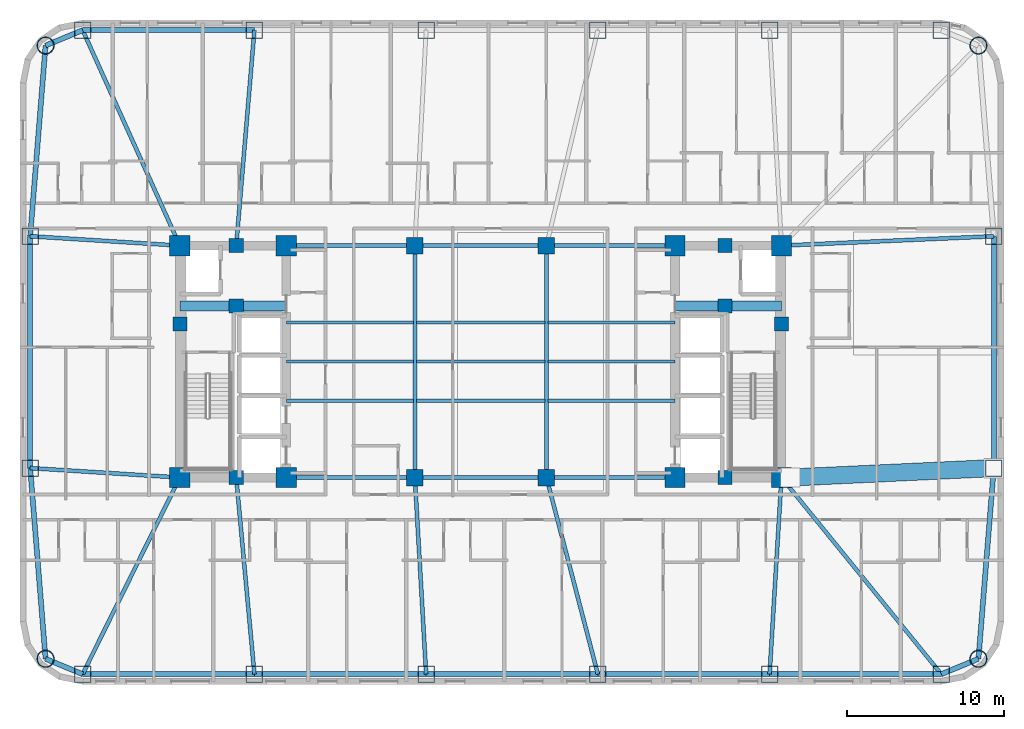
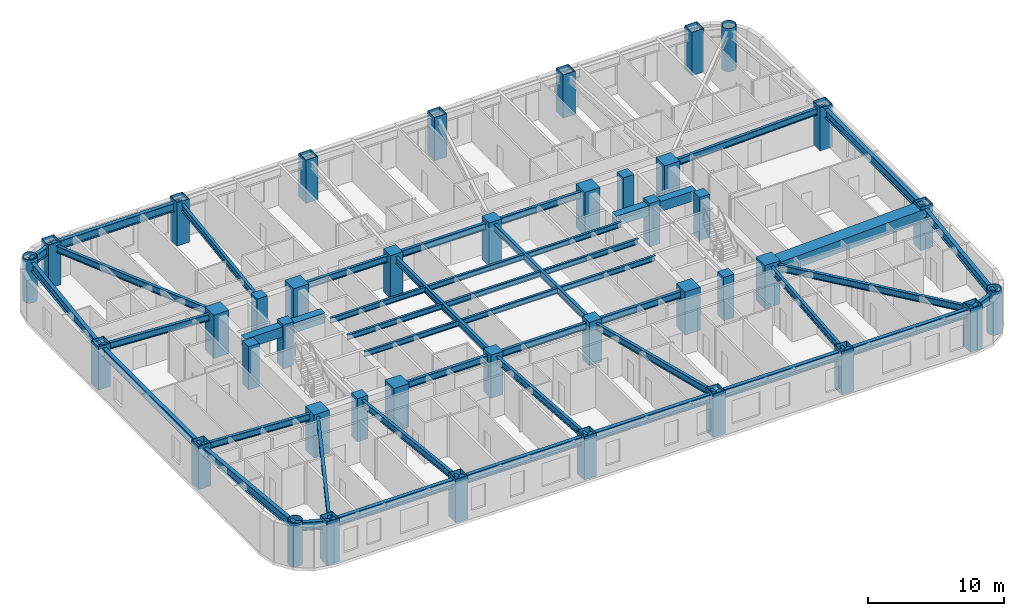
# One storey, part 1 of 13: 45 beams, 40 columns.
"""IFC4 building model written with IfcOpenShell, lengths in metres."""

from ifc_helpers import new_model, si_unit, direction, frame, origin, origin_2d, place, context, subcontext, project, spatial, rectangle, hollow_rectangle, hollow_circle, i_section, extrude, material, material_profile, profile_set, type_object, element, save


model = new_model("IFC4")

# Units and contexts
model_context = context("Model", 3, precision=1e-05, world=origin(), true_north=direction((0.0, 1.0)))
body_context = subcontext(model_context, "Body", "Model", "MODEL_VIEW")
ifc_project = project(units=[si_unit("LENGTHUNIT", "METRE"), si_unit("AREAUNIT", "SQUARE_METRE"), si_unit("VOLUMEUNIT", "CUBIC_METRE"), si_unit("PLANEANGLEUNIT", "RADIAN"), si_unit("MASSUNIT", "GRAM", prefix="KILO")], contexts=[model_context])

# Site, building, storey
site_placement = place(None, origin())
site = spatial("IfcSite", under=ifc_project, at=site_placement, CompositionType="ELEMENT")
building_placement = place(site_placement, origin())
building = spatial("IfcBuilding", under=site, at=building_placement, Name="Voryun Gate Residences", CompositionType="ELEMENT")
storey_placement = place(building_placement, frame((0.0, 0.0, 124.800048828125)))
storey = spatial("IfcBuildingStorey", under=building, at=storey_placement, Name="L30", CompositionType="ELEMENT", Elevation=124.800048828125)

# Columns
ifc_material_1 = material(Name="Concrete C50/60", Category="concrete")
ifc_material_profile_1 = material_profile(ifc_material_1, rectangle(XDim=1.050048828125, YDim=1.050048828125, at=origin_2d()), Name="RC-1050x1050")
ifc_profile_set_1 = profile_set([ifc_material_profile_1], Name="Concrete C50/60")
column_type_1 = type_object("IfcColumnType", Name="COL_CORE_1050", PredefinedType="COLUMN", material=ifc_profile_set_1)
for number, where, z_axis, x_axis, name in (
    (1, (-4.199951171875, -7.39990234375, 0.0), (0.0, 0.0, 1.0), (1.0, 0.0, 0.0), "L30 Interior spine column SP-WS"),
    (2, (-4.199951171875, 7.39990234375, 0.0), (0.0, 0.0, 1.0), (1.0, 0.0, 0.0), "L30 Interior spine column SP-WN"),
    (3, (4.199951171875, -7.39990234375, 0.0), (0.0, 0.0, 1.0), (1.0, 0.0, 0.0), "L30 Interior spine column SP-ES"),
    (4, (4.199951171875, 7.39990234375, 0.0), (0.0, 0.0, 1.0), (1.0, 0.0, 0.0), "L30 Interior spine column SP-EN"),
):
    element("IfcColumn", number, at=place(storey_placement, frame(where, z_axis=z_axis, x_axis=x_axis)), inside=storey, type_object=column_type_1, Name=name, PredefinedType="COLUMN", context=body_context, shape_type="SweptSolid", body=[
        extrude(rectangle(XDim=1.050048828125, YDim=1.050048828125, at=origin_2d()), origin(), (0.0, 0.0, 1.0), 3.89990234375),
    ])
ifc_material_2 = material(Name="Concrete C50/60", Category="concrete")
ifc_material_profile_2 = material_profile(ifc_material_2, rectangle(XDim=0.89990234375, YDim=0.89990234375, at=origin_2d()), Name="RC-900x900")
ifc_profile_set_2 = profile_set([ifc_material_profile_2], Name="Concrete C50/60")
column_type_2 = type_object("IfcColumnType", Name="COL_CORE_900", PredefinedType="COLUMN", material=ifc_profile_set_2)
for number, where, z_axis, x_axis, name in (
    (5, (-19.199951171875, 2.39990234375, 0.0), (0.0, 0.0, 1.0), (1.0, 0.0, 0.0), "L30 Core boundary column WC-MW"),
    (6, (-15.60009765625, -7.39990234375, 0.0), (0.0, 0.0, 1.0), (1.0, 0.0, 0.0), "L30 Core boundary column WC-SM"),
    (7, (-15.60009765625, 7.39990234375, 0.0), (0.0, 0.0, 1.0), (1.0, 0.0, 0.0), "L30 Core boundary column WC-NM"),
    (8, (-15.60009765625, 3.550048828125, 0.0), (0.0, 0.0, 1.0), (1.0, 0.0, 0.0), "L30 Core boundary column WC-MM"),
    (9, (15.60009765625, 3.550048828125, 0.0), (0.0, 0.0, 1.0), (1.0, 0.0, 0.0), "L30 Core boundary column EC-MM"),
    (10, (15.60009765625, -7.39990234375, 0.0), (0.0, 0.0, 1.0), (1.0, 0.0, 0.0), "L30 Core boundary column EC-SM"),
    (11, (15.60009765625, 7.39990234375, 0.0), (0.0, 0.0, 1.0), (1.0, 0.0, 0.0), "L30 Core boundary column EC-NM"),
    (12, (19.199951171875, 2.39990234375, 0.0), (0.0, 0.0, 1.0), (1.0, 0.0, 0.0), "L30 Core boundary column EC-ME"),
):
    element("IfcColumn", number, at=place(storey_placement, frame(where, z_axis=z_axis, x_axis=x_axis)), inside=storey, type_object=column_type_2, Name=name, PredefinedType="COLUMN", context=body_context, shape_type="SweptSolid", body=[
        extrude(rectangle(XDim=0.89990234375, YDim=0.89990234375, at=origin_2d()), origin(), (0.0, 0.0, 1.0), 3.89990234375),
    ])
ifc_material_3 = material(Name="Steel SM420", Category="steel")
ifc_material_profile_3 = material_profile(ifc_material_3, hollow_circle(Radius=0.550048828125, WallThickness=0.035888671875, at=origin_2d()), Name="CHS-1100x36")
ifc_profile_set_3 = profile_set([ifc_material_profile_3], Name="Steel SM420")
column_type_3 = type_object("IfcColumnType", Name="COL_CRN_1100", PredefinedType="COLUMN", material=ifc_profile_set_3)
for number, where, z_axis, x_axis, name in (
    (13, (31.768798828125, -18.96875, 0.0), (0.0, 0.0, 1.0), (1.0, 0.0, 0.0), "L30 Exoskeleton column CSE"),
    (14, (31.768798828125, 20.168701171875, 0.0), (0.0, 0.0, 1.0), (1.0, 0.0, 0.0), "L30 Exoskeleton column CNE"),
    (15, (-27.768798828125, 20.168701171875, 0.0), (0.0, 0.0, 1.0), (1.0, 0.0, 0.0), "L30 Exoskeleton column CNW"),
    (16, (-27.768798828125, -18.96875, 0.0), (0.0, 0.0, 1.0), (1.0, 0.0, 0.0), "L30 Exoskeleton column CSW"),
):
    element("IfcColumn", number, at=place(storey_placement, frame(where, z_axis=z_axis, x_axis=x_axis)), inside=storey, type_object=column_type_3, Name=name, PredefinedType="COLUMN", context=body_context, shape_type="SweptSolid", body=[
        extrude(hollow_circle(Radius=0.550048828125, WallThickness=0.035888671875, at=origin_2d()), origin(), (0.0, 0.0, 1.0), 3.89990234375),
    ])
ifc_material_4 = material(Name="Steel SM420", Category="steel")
ifc_material_profile_4 = material_profile(ifc_material_4, hollow_rectangle(XDim=1.050048828125, YDim=1.050048828125, WallThickness=0.035888671875, at=origin_2d()), Name="BOX-1050x1050x36")
ifc_profile_set_4 = profile_set([ifc_material_profile_4], Name="Steel SM420")
column_type_4 = type_object("IfcColumnType", Name="COL_EXO_B2", PredefinedType="COLUMN", material=ifc_profile_set_4)
for number, where, z_axis, x_axis, name in (
    (17, (-25.39990234375, -19.949951171875, 0.0), (0.0, 0.0, 1.0), (1.0, 0.0, 0.0), "L30 Exoskeleton column S1"),
    (18, (-14.43994140625, -19.949951171875, 0.0), (0.0, 0.0, 1.0), (1.0, 0.0, 0.0), "L30 Exoskeleton column S2"),
    (19, (-3.47998046875, -19.949951171875, 0.0), (0.0, 0.0, 1.0), (1.0, 0.0, 0.0), "L30 Exoskeleton column S3"),
    (20, (7.47998046875, -19.949951171875, 0.0), (0.0, 0.0, 1.0), (1.0, 0.0, 0.0), "L30 Exoskeleton column S4"),
    (21, (18.43994140625, -19.949951171875, 0.0), (0.0, 0.0, 1.0), (1.0, 0.0, 0.0), "L30 Exoskeleton column S5"),
    (22, (29.39990234375, -19.949951171875, 0.0), (0.0, 0.0, 1.0), (1.0, 0.0, 0.0), "L30 Exoskeleton column S6"),
    (23, (32.75, -6.798095703125, 0.0), (0.0, 0.0, 1.0), (1.0, 0.0, 0.0), "L30 Exoskeleton column E1"),
    (24, (32.75, 7.998046875, 0.0), (0.0, 0.0, 1.0), (1.0, 0.0, 0.0), "L30 Exoskeleton column E2"),
    (25, (29.39990234375, 21.14990234375, 0.0), (0.0, 0.0, 1.0), (1.0, 0.0, 0.0), "L30 Exoskeleton column N1"),
    (26, (18.43994140625, 21.14990234375, 0.0), (0.0, 0.0, 1.0), (1.0, 0.0, 0.0), "L30 Exoskeleton column N2"),
    (27, (7.47998046875, 21.14990234375, 0.0), (0.0, 0.0, 1.0), (1.0, 0.0, 0.0), "L30 Exoskeleton column N3"),
    (28, (-3.47998046875, 21.14990234375, 0.0), (0.0, 0.0, 1.0), (1.0, 0.0, 0.0), "L30 Exoskeleton column N4"),
    (29, (-14.43994140625, 21.14990234375, 0.0), (0.0, 0.0, 1.0), (1.0, 0.0, 0.0), "L30 Exoskeleton column N5"),
    (30, (-25.39990234375, 21.14990234375, 0.0), (0.0, 0.0, 1.0), (1.0, 0.0, 0.0), "L30 Exoskeleton column N6"),
    (31, (-28.75, 7.998046875, 0.0), (0.0, 0.0, 1.0), (1.0, 0.0, 0.0), "L30 Exoskeleton column W1"),
    (32, (-28.75, -6.798095703125, 0.0), (0.0, 0.0, 1.0), (1.0, 0.0, 0.0), "L30 Exoskeleton column W2"),
):
    element("IfcColumn", number, at=place(storey_placement, frame(where, z_axis=z_axis, x_axis=x_axis)), inside=storey, type_object=column_type_4, Name=name, PredefinedType="COLUMN", context=body_context, shape_type="SweptSolid", body=[
        extrude(hollow_rectangle(XDim=1.050048828125, YDim=1.050048828125, WallThickness=0.035888671875, at=origin_2d()), origin(), (0.0, 0.0, 1.0), 3.89990234375),
    ])
ifc_material_5 = material(Name="Concrete C60/75", Category="concrete")
ifc_material_profile_5 = material_profile(ifc_material_5, rectangle(XDim=1.300048828125, YDim=1.300048828125, at=origin_2d()), Name="RC-1300x1300")
ifc_profile_set_5 = profile_set([ifc_material_profile_5], Name="Concrete C60/75")
column_type_5 = type_object("IfcColumnType", Name="COL_MEGA_1300", PredefinedType="COLUMN", material=ifc_profile_set_5)
for number, where, z_axis, x_axis, name in (
    (33, (-19.199951171875, -7.39990234375, 0.0), (0.0, 0.0, 1.0), (1.0, 0.0, 0.0), "L30 Core boundary column WC-SW"),
    (34, (-19.199951171875, 7.39990234375, 0.0), (0.0, 0.0, 1.0), (1.0, 0.0, 0.0), "L30 Core boundary column WC-NW"),
    (35, (-12.39990234375, -7.39990234375, 0.0), (0.0, 0.0, 1.0), (1.0, 0.0, 0.0), "L30 Core boundary column WC-SE"),
    (36, (-12.39990234375, 7.39990234375, 0.0), (0.0, 0.0, 1.0), (1.0, 0.0, 0.0), "L30 Core boundary column WC-NE"),
    (37, (12.39990234375, -7.39990234375, 0.0), (0.0, 0.0, 1.0), (1.0, 0.0, 0.0), "L30 Core boundary column EC-SW"),
    (38, (12.39990234375, 7.39990234375, 0.0), (0.0, 0.0, 1.0), (1.0, 0.0, 0.0), "L30 Core boundary column EC-NW"),
    (39, (19.199951171875, -7.39990234375, 0.0), (0.0, 0.0, 1.0), (1.0, 0.0, 0.0), "L30 Core boundary column EC-SE"),
    (40, (19.199951171875, 7.39990234375, 0.0), (0.0, 0.0, 1.0), (1.0, 0.0, 0.0), "L30 Core boundary column EC-NE"),
):
    element("IfcColumn", number, at=place(storey_placement, frame(where, z_axis=z_axis, x_axis=x_axis)), inside=storey, type_object=column_type_5, Name=name, PredefinedType="COLUMN", context=body_context, shape_type="SweptSolid", body=[
        extrude(rectangle(XDim=1.300048828125, YDim=1.300048828125, at=origin_2d()), origin(), (0.0, 0.0, 1.0), 3.89990234375),
    ])

# Beams
ifc_material_6 = material(Name="Steel SM420", Category="steel")
ifc_material_profile_6 = material_profile(ifc_material_6, hollow_rectangle(XDim=1.10009765625, YDim=1.10009765625, WallThickness=0.035888671875, at=origin_2d()), Name="BOX-1100x1100x36")
ifc_profile_set_6 = profile_set([ifc_material_profile_6], Name="Steel SM420")
beam_type_1 = type_object("IfcBeamType", Name="BM_ARCH_RIB", PredefinedType="USERDEFINED", material=ifc_profile_set_6)
beam_1_placement = place(storey_placement, frame((19.75, -7.39990234375, 3.099853515625), z_axis=(0.998930206616, 0.046243294759, 0.0), x_axis=(-0.046243294759, 0.998930206616, 0.0)))
element("IfcBeam", 41, at=beam_1_placement, inside=storey, type_object=beam_type_1, Name="BM-L30-RAD-E1", ObjectType="GIRDER", PredefinedType="USERDEFINED", context=body_context, shape_type="SweptSolid", body=[
    extrude(hollow_rectangle(XDim=1.10009765625, YDim=1.10009765625, WallThickness=0.035888671875, at=origin_2d()), origin(), (0.0, 0.0, 1.0), 13.013916015625),
])
ifc_material_7 = material(Name="Concrete C60/75", Category="concrete")
ifc_material_profile_7 = material_profile(ifc_material_7, rectangle(XDim=0.64990234375, YDim=0.89990234375, at=origin_2d()), Name="RC-650x900")
ifc_profile_set_7 = profile_set([ifc_material_profile_7], Name="Concrete C60/75")
beam_type_2 = type_object("IfcBeamType", Name="BM_COUP_RC900", PredefinedType="LINTEL", material=ifc_profile_set_7)
for number, where, z_axis, x_axis, name in (
    (42, (-19.199951171875, 3.550048828125, 3.199951171875), (1.0, 0.0, 0.0), (0.0, 1.0, 0.0), "BM-L30-WC1"),
    (43, (12.39990234375, 3.550048828125, 3.199951171875), (1.0, 0.0, 0.0), (0.0, 1.0, 0.0), "BM-L30-EC1"),
):
    element("IfcBeam", number, at=place(storey_placement, frame(where, z_axis=z_axis, x_axis=x_axis)), inside=storey, type_object=beam_type_2, Name=name, PredefinedType="LINTEL", context=body_context, shape_type="SweptSolid", body=[
        extrude(rectangle(XDim=0.64990234375, YDim=0.89990234375, at=origin_2d()), origin(), (0.0, 0.0, 1.0), 6.800048828125),
    ])
ifc_material_8 = material(Name="Steel SM355", Category="steel")
ifc_material_profile_8 = material_profile(ifc_material_8, i_section(OverallWidth=0.320068359375, OverallDepth=0.75, WebThickness=0.01611328125, FlangeThickness=0.028076171875, FilletRadius=0.01806640625, at=origin_2d()), Name="H-750x320x16x28")
ifc_profile_set_8 = profile_set([ifc_material_profile_8], Name="Steel SM355")
beam_type_3 = type_object("IfcBeamType", Name="BM_EXO_SPANDREL_L", PredefinedType="SPANDREL", material=ifc_profile_set_8)
for number, where, z_axis, x_axis, name in (
    (44, (-25.39990234375, -19.949951171875, 3.27490234375), (1.0, 0.0, 0.0), (0.0, 1.0, 0.0), "BM-L30-SPAND-01"),
    (45, (-14.43994140625, -19.949951171875, 3.27490234375), (1.0, 0.0, 0.0), (0.0, 1.0, 0.0), "BM-L30-SPAND-02"),
    (46, (-3.47998046875, -19.949951171875, 3.27490234375), (1.0, 0.0, 0.0), (0.0, 1.0, 0.0), "BM-L30-SPAND-03"),
    (47, (7.47998046875, -19.949951171875, 3.27490234375), (1.0, 0.0, 0.0), (0.0, 1.0, 0.0), "BM-L30-SPAND-04"),
    (48, (18.43994140625, -19.949951171875, 3.27490234375), (1.0, 0.0, 0.0), (0.0, 1.0, 0.0), "BM-L30-SPAND-05"),
):
    element("IfcBeam", number, at=place(storey_placement, frame(where, z_axis=z_axis, x_axis=x_axis)), inside=storey, type_object=beam_type_3, Name=name, PredefinedType="SPANDREL", context=body_context, shape_type="SweptSolid", body=[
        extrude(i_section(OverallWidth=0.320068359375, OverallDepth=0.75, WebThickness=0.01611328125, FlangeThickness=0.028076171875, FilletRadius=0.01806640625, at=origin_2d()), origin(), (0.0, 0.0, 1.0), 10.9599609375),
    ])
beam_2_placement = place(storey_placement, frame((29.39990234375, -19.949951171875, 3.27490234375), z_axis=(0.923883376753, 0.382674151414, 0.0), x_axis=(-0.382674151414, 0.923883376753, 0.0)))
element("IfcBeam", 49, at=beam_2_placement, inside=storey, type_object=beam_type_3, Name="BM-L30-SPAND-06", PredefinedType="SPANDREL", context=body_context, shape_type="SweptSolid", body=[
    extrude(i_section(OverallWidth=0.320068359375, OverallDepth=0.75, WebThickness=0.01611328125, FlangeThickness=0.028076171875, FilletRadius=0.01806640625, at=origin_2d()), origin(), (0.0, 0.0, 1.0), 2.56396484375),
])
beam_3_placement = place(storey_placement, frame((31.768798828125, -18.96875, 3.27490234375), z_axis=(0.080359517973, 0.996765944378, 0.0), x_axis=(-0.996765944378, 0.080359517973, 0.0)))
element("IfcBeam", 50, at=beam_3_placement, inside=storey, type_object=beam_type_3, Name="BM-L30-SPAND-07", PredefinedType="SPANDREL", context=body_context, shape_type="SweptSolid", body=[
    extrude(i_section(OverallWidth=0.320068359375, OverallDepth=0.75, WebThickness=0.01611328125, FlangeThickness=0.028076171875, FilletRadius=0.01806640625, at=origin_2d()), origin(), (0.0, 0.0, 1.0), 12.210205078125),
])
beam_4_placement = place(storey_placement, frame((32.75, -6.798095703125, 3.27490234375), z_axis=(0.0, 1.0, 0.0), x_axis=(-1.0, 0.0, 0.0)))
element("IfcBeam", 51, at=beam_4_placement, inside=storey, type_object=beam_type_3, Name="BM-L30-SPAND-08", PredefinedType="SPANDREL", context=body_context, shape_type="SweptSolid", body=[
    extrude(i_section(OverallWidth=0.320068359375, OverallDepth=0.75, WebThickness=0.01611328125, FlangeThickness=0.028076171875, FilletRadius=0.01806640625, at=origin_2d()), origin(), (0.0, 0.0, 1.0), 14.796142578125),
])
beam_5_placement = place(storey_placement, frame((-14.43994140625, 21.14990234375, 3.27490234375), z_axis=(-1.0, 0.0, 0.0), x_axis=(0.0, -1.0, 0.0)))
element("IfcBeam", 52, at=beam_5_placement, inside=storey, type_object=beam_type_3, Name="BM-L30-SPAND-15", PredefinedType="SPANDREL", context=body_context, shape_type="SweptSolid", body=[
    extrude(i_section(OverallWidth=0.320068359375, OverallDepth=0.75, WebThickness=0.01611328125, FlangeThickness=0.028076171875, FilletRadius=0.01806640625, at=origin_2d()), origin(), (0.0, 0.0, 1.0), 10.9599609375),
])
beam_6_placement = place(storey_placement, frame((-25.39990234375, 21.14990234375, 3.27490234375), z_axis=(-0.923883376753, -0.382674151414, 0.0), x_axis=(0.382674151414, -0.923883376753, 0.0)))
element("IfcBeam", 53, at=beam_6_placement, inside=storey, type_object=beam_type_3, Name="BM-L30-SPAND-16", PredefinedType="SPANDREL", context=body_context, shape_type="SweptSolid", body=[
    extrude(i_section(OverallWidth=0.320068359375, OverallDepth=0.75, WebThickness=0.01611328125, FlangeThickness=0.028076171875, FilletRadius=0.01806640625, at=origin_2d()), origin(), (0.0, 0.0, 1.0), 2.56396484375),
])
beam_7_placement = place(storey_placement, frame((-27.768798828125, 20.168701171875, 3.27490234375), z_axis=(-0.080359517973, -0.996765944378, 0.0), x_axis=(0.996765944378, -0.080359517973, 0.0)))
element("IfcBeam", 54, at=beam_7_placement, inside=storey, type_object=beam_type_3, Name="BM-L30-SPAND-17", PredefinedType="SPANDREL", context=body_context, shape_type="SweptSolid", body=[
    extrude(i_section(OverallWidth=0.320068359375, OverallDepth=0.75, WebThickness=0.01611328125, FlangeThickness=0.028076171875, FilletRadius=0.01806640625, at=origin_2d()), origin(), (0.0, 0.0, 1.0), 12.210205078125),
])
beam_8_placement = place(storey_placement, frame((-28.75, 7.998046875, 3.27490234375), z_axis=(0.0, -1.0, 0.0), x_axis=(1.0, 0.0, 0.0)))
element("IfcBeam", 55, at=beam_8_placement, inside=storey, type_object=beam_type_3, Name="BM-L30-SPAND-18", PredefinedType="SPANDREL", context=body_context, shape_type="SweptSolid", body=[
    extrude(i_section(OverallWidth=0.320068359375, OverallDepth=0.75, WebThickness=0.01611328125, FlangeThickness=0.028076171875, FilletRadius=0.01806640625, at=origin_2d()), origin(), (0.0, 0.0, 1.0), 14.796142578125),
])
beam_9_placement = place(storey_placement, frame((-28.75, -6.798095703125, 3.27490234375), z_axis=(0.080359517973, -0.996765944378, 0.0), x_axis=(0.996765944378, 0.080359517973, 0.0)))
element("IfcBeam", 56, at=beam_9_placement, inside=storey, type_object=beam_type_3, Name="BM-L30-SPAND-19", PredefinedType="SPANDREL", context=body_context, shape_type="SweptSolid", body=[
    extrude(i_section(OverallWidth=0.320068359375, OverallDepth=0.75, WebThickness=0.01611328125, FlangeThickness=0.028076171875, FilletRadius=0.01806640625, at=origin_2d()), origin(), (0.0, 0.0, 1.0), 12.210205078125),
])
beam_10_placement = place(storey_placement, frame((-27.768798828125, -18.96875, 3.27490234375), z_axis=(0.923883376753, -0.382674151414, 0.0), x_axis=(0.382674151414, 0.923883376753, 0.0)))
element("IfcBeam", 57, at=beam_10_placement, inside=storey, type_object=beam_type_3, Name="BM-L30-SPAND-20", PredefinedType="SPANDREL", context=body_context, shape_type="SweptSolid", body=[
    extrude(i_section(OverallWidth=0.320068359375, OverallDepth=0.75, WebThickness=0.01611328125, FlangeThickness=0.028076171875, FilletRadius=0.01806640625, at=origin_2d()), origin(), (0.0, 0.0, 1.0), 2.56396484375),
])
ifc_material_9 = material(Name="Steel SM355", Category="steel")
ifc_material_profile_9 = material_profile(ifc_material_9, i_section(OverallWidth=0.25, OverallDepth=0.60009765625, WebThickness=0.011962890625, FlangeThickness=0.02197265625, FilletRadius=0.01806640625, at=origin_2d()), Name="H-600x250x12x22")
ifc_profile_set_9 = profile_set([ifc_material_profile_9], Name="Steel SM355")
beam_type_4 = type_object("IfcBeamType", Name="BM_GIRD_600", PredefinedType="USERDEFINED", material=ifc_profile_set_9)
beam_11_placement = place(storey_placement, frame((-12.39990234375, -7.39990234375, 3.349853515625), z_axis=(1.0, 0.0, 0.0), x_axis=(0.0, 1.0, 0.0)))
element("IfcBeam", 58, at=beam_11_placement, inside=storey, type_object=beam_type_4, Name="BM-L30-SPG1-S", ObjectType="GIRDER", PredefinedType="USERDEFINED", context=body_context, shape_type="SweptSolid", body=[
    extrude(i_section(OverallWidth=0.25, OverallDepth=0.60009765625, WebThickness=0.011962890625, FlangeThickness=0.02197265625, FilletRadius=0.01806640625, at=origin_2d()), origin(), (0.0, 0.0, 1.0), 8.199951171875),
])
beam_12_placement = place(storey_placement, frame((-4.199951171875, -7.39990234375, 3.349853515625), z_axis=(1.0, 0.0, 0.0), x_axis=(0.0, 1.0, 0.0)))
element("IfcBeam", 59, at=beam_12_placement, inside=storey, type_object=beam_type_4, Name="BM-L30-SPG2-S", ObjectType="GIRDER", PredefinedType="USERDEFINED", context=body_context, shape_type="SweptSolid", body=[
    extrude(i_section(OverallWidth=0.25, OverallDepth=0.60009765625, WebThickness=0.011962890625, FlangeThickness=0.02197265625, FilletRadius=0.01806640625, at=origin_2d()), origin(), (0.0, 0.0, 1.0), 8.39990234375),
])
for number, where, z_axis, x_axis, name in (
    (60, (4.199951171875, -7.39990234375, 3.349853515625), (1.0, 0.0, 0.0), (0.0, 1.0, 0.0), "BM-L30-SPG3-S"),
    (61, (-12.39990234375, 7.39990234375, 3.349853515625), (1.0, 0.0, 0.0), (0.0, 1.0, 0.0), "BM-L30-SPG1-N"),
):
    element("IfcBeam", number, at=place(storey_placement, frame(where, z_axis=z_axis, x_axis=x_axis)), inside=storey, type_object=beam_type_4, Name=name, ObjectType="GIRDER", PredefinedType="USERDEFINED", context=body_context, shape_type="SweptSolid", body=[
        extrude(i_section(OverallWidth=0.25, OverallDepth=0.60009765625, WebThickness=0.011962890625, FlangeThickness=0.02197265625, FilletRadius=0.01806640625, at=origin_2d()), origin(), (0.0, 0.0, 1.0), 8.199951171875),
    ])
beam_13_placement = place(storey_placement, frame((-4.199951171875, 7.39990234375, 3.349853515625), z_axis=(1.0, 0.0, 0.0), x_axis=(0.0, 1.0, 0.0)))
element("IfcBeam", 62, at=beam_13_placement, inside=storey, type_object=beam_type_4, Name="BM-L30-SPG2-N", ObjectType="GIRDER", PredefinedType="USERDEFINED", context=body_context, shape_type="SweptSolid", body=[
    extrude(i_section(OverallWidth=0.25, OverallDepth=0.60009765625, WebThickness=0.011962890625, FlangeThickness=0.02197265625, FilletRadius=0.01806640625, at=origin_2d()), origin(), (0.0, 0.0, 1.0), 8.39990234375),
])
beam_14_placement = place(storey_placement, frame((4.199951171875, 7.39990234375, 3.349853515625), z_axis=(1.0, 0.0, 0.0), x_axis=(0.0, 1.0, 0.0)))
element("IfcBeam", 63, at=beam_14_placement, inside=storey, type_object=beam_type_4, Name="BM-L30-SPG3-N", ObjectType="GIRDER", PredefinedType="USERDEFINED", context=body_context, shape_type="SweptSolid", body=[
    extrude(i_section(OverallWidth=0.25, OverallDepth=0.60009765625, WebThickness=0.011962890625, FlangeThickness=0.02197265625, FilletRadius=0.01806640625, at=origin_2d()), origin(), (0.0, 0.0, 1.0), 8.199951171875),
])
for number, where, z_axis, x_axis, name in (
    (64, (-4.199951171875, -7.39990234375, 3.349853515625), (0.0, 1.0, 0.0), (-1.0, 0.0, 0.0), "BM-L30-SPX-W"),
    (65, (4.199951171875, -7.39990234375, 3.349853515625), (0.0, 1.0, 0.0), (-1.0, 0.0, 0.0), "BM-L30-SPX-E"),
):
    element("IfcBeam", number, at=place(storey_placement, frame(where, z_axis=z_axis, x_axis=x_axis)), inside=storey, type_object=beam_type_4, Name=name, ObjectType="GIRDER", PredefinedType="USERDEFINED", context=body_context, shape_type="SweptSolid", body=[
        extrude(i_section(OverallWidth=0.25, OverallDepth=0.60009765625, WebThickness=0.011962890625, FlangeThickness=0.02197265625, FilletRadius=0.01806640625, at=origin_2d()), origin(), (0.0, 0.0, 1.0), 14.7998046875),
    ])
beam_15_placement = place(storey_placement, frame((-19.199951171875, -7.39990234375, 3.349853515625), z_axis=(-0.442917927955, -0.896562161312, 0.0), x_axis=(0.896562161312, -0.442917927955, 0.0)))
element("IfcBeam", 66, at=beam_15_placement, inside=storey, type_object=beam_type_4, Name="BM-L30-RAD-S1", ObjectType="GIRDER", PredefinedType="USERDEFINED", context=body_context, shape_type="SweptSolid", body=[
    extrude(i_section(OverallWidth=0.25, OverallDepth=0.60009765625, WebThickness=0.011962890625, FlangeThickness=0.02197265625, FilletRadius=0.01806640625, at=origin_2d()), origin(), (0.0, 0.0, 1.0), 13.998046875),
])
beam_16_placement = place(storey_placement, frame((-15.60009765625, -7.39990234375, 3.349853515625), z_axis=(0.092049895705, -0.995754395773, 0.0), x_axis=(0.995754395773, 0.092049895705, 0.0)))
element("IfcBeam", 67, at=beam_16_placement, inside=storey, type_object=beam_type_4, Name="BM-L30-RAD-S2", ObjectType="GIRDER", PredefinedType="USERDEFINED", context=body_context, shape_type="SweptSolid", body=[
    extrude(i_section(OverallWidth=0.25, OverallDepth=0.60009765625, WebThickness=0.011962890625, FlangeThickness=0.02197265625, FilletRadius=0.01806640625, at=origin_2d()), origin(), (0.0, 0.0, 1.0), 12.603515625),
])
beam_17_placement = place(storey_placement, frame((-4.199951171875, -7.39990234375, 3.349853515625), z_axis=(0.057273791334, -0.998358509167, 0.0), x_axis=(0.998358509167, 0.057273791334, 0.0)))
element("IfcBeam", 68, at=beam_17_placement, inside=storey, type_object=beam_type_4, Name="BM-L30-RAD-S3", ObjectType="GIRDER", PredefinedType="USERDEFINED", context=body_context, shape_type="SweptSolid", body=[
    extrude(i_section(OverallWidth=0.25, OverallDepth=0.60009765625, WebThickness=0.011962890625, FlangeThickness=0.02197265625, FilletRadius=0.01806640625, at=origin_2d()), origin(), (0.0, 0.0, 1.0), 12.57080078125),
])
beam_18_placement = place(storey_placement, frame((4.199951171875, -7.39990234375, 3.349853515625), z_axis=(0.252862419611, -0.967502246379, 0.0), x_axis=(0.967502246379, 0.252862419611, 0.0)))
element("IfcBeam", 69, at=beam_18_placement, inside=storey, type_object=beam_type_4, Name="BM-L30-RAD-S4", ObjectType="GIRDER", PredefinedType="USERDEFINED", context=body_context, shape_type="SweptSolid", body=[
    extrude(i_section(OverallWidth=0.25, OverallDepth=0.60009765625, WebThickness=0.011962890625, FlangeThickness=0.02197265625, FilletRadius=0.01806640625, at=origin_2d()), origin(), (0.0, 0.0, 1.0), 12.9716796875),
])
beam_19_placement = place(storey_placement, frame((19.199951171875, -7.39990234375, 3.349853515625), z_axis=(-0.060447572917, -0.998171373527, 0.0), x_axis=(0.998171373527, -0.060447572917, 0.0)))
element("IfcBeam", 70, at=beam_19_placement, inside=storey, type_object=beam_type_4, Name="BM-L30-RAD-S5", ObjectType="GIRDER", PredefinedType="USERDEFINED", context=body_context, shape_type="SweptSolid", body=[
    extrude(i_section(OverallWidth=0.25, OverallDepth=0.60009765625, WebThickness=0.011962890625, FlangeThickness=0.02197265625, FilletRadius=0.01806640625, at=origin_2d()), origin(), (0.0, 0.0, 1.0), 12.572998046875),
])
beam_20_placement = place(storey_placement, frame((19.199951171875, -7.39990234375, 3.349853515625), z_axis=(0.63070571586, -0.776022100189, 0.0), x_axis=(0.776022100189, 0.63070571586, 0.0)))
element("IfcBeam", 71, at=beam_20_placement, inside=storey, type_object=beam_type_4, Name="BM-L30-RAD-S6", ObjectType="GIRDER", PredefinedType="USERDEFINED", context=body_context, shape_type="SweptSolid", body=[
    extrude(i_section(OverallWidth=0.25, OverallDepth=0.60009765625, WebThickness=0.011962890625, FlangeThickness=0.02197265625, FilletRadius=0.01806640625, at=origin_2d()), origin(), (0.0, 0.0, 1.0), 16.17236328125),
])
beam_21_placement = place(storey_placement, frame((19.199951171875, 7.39990234375, 3.349853515625), z_axis=(0.999027104014, 0.044100401882, 0.0), x_axis=(-0.044100401882, 0.999027104014, 0.0)))
element("IfcBeam", 72, at=beam_21_placement, inside=storey, type_object=beam_type_4, Name="BM-L30-RAD-E2", ObjectType="GIRDER", PredefinedType="USERDEFINED", context=body_context, shape_type="SweptSolid", body=[
    extrude(i_section(OverallWidth=0.25, OverallDepth=0.60009765625, WebThickness=0.011962890625, FlangeThickness=0.02197265625, FilletRadius=0.01806640625, at=origin_2d()), origin(), (0.0, 0.0, 1.0), 13.563232421875),
])
beam_22_placement = place(storey_placement, frame((-15.60009765625, 7.39990234375, 3.349853515625), z_axis=(0.084076255415, 0.996459323442, 0.0), x_axis=(-0.996459323442, 0.084076255415, 0.0)))
element("IfcBeam", 73, at=beam_22_placement, inside=storey, type_object=beam_type_4, Name="BM-L30-RAD-N5", ObjectType="GIRDER", PredefinedType="USERDEFINED", context=body_context, shape_type="SweptSolid", body=[
    extrude(i_section(OverallWidth=0.25, OverallDepth=0.60009765625, WebThickness=0.011962890625, FlangeThickness=0.02197265625, FilletRadius=0.01806640625, at=origin_2d()), origin(), (0.0, 0.0, 1.0), 13.798828125),
])
beam_23_placement = place(storey_placement, frame((-19.199951171875, 7.39990234375, 3.349853515625), z_axis=(-0.411051048554, 0.911612327408, 0.0), x_axis=(-0.911612327408, -0.411051048554, 0.0)))
element("IfcBeam", 74, at=beam_23_placement, inside=storey, type_object=beam_type_4, Name="BM-L30-RAD-N6", ObjectType="GIRDER", PredefinedType="USERDEFINED", context=body_context, shape_type="SweptSolid", body=[
    extrude(i_section(OverallWidth=0.25, OverallDepth=0.60009765625, WebThickness=0.011962890625, FlangeThickness=0.02197265625, FilletRadius=0.01806640625, at=origin_2d()), origin(), (0.0, 0.0, 1.0), 15.083251953125),
])
beam_24_placement = place(storey_placement, frame((-19.199951171875, 7.39990234375, 3.349853515625), z_axis=(-0.998044329736, 0.062510126233, 0.0), x_axis=(-0.062510126233, -0.998044329736, 0.0)))
element("IfcBeam", 75, at=beam_24_placement, inside=storey, type_object=beam_type_4, Name="BM-L30-RAD-W1", ObjectType="GIRDER", PredefinedType="USERDEFINED", context=body_context, shape_type="SweptSolid", body=[
    extrude(i_section(OverallWidth=0.25, OverallDepth=0.60009765625, WebThickness=0.011962890625, FlangeThickness=0.02197265625, FilletRadius=0.01806640625, at=origin_2d()), origin(), (0.0, 0.0, 1.0), 9.56884765625),
])
beam_25_placement = place(storey_placement, frame((-19.199951171875, -7.39990234375, 3.349853515625), z_axis=(-0.998020380726, 0.062891332119, 0.0), x_axis=(-0.062891332119, -0.998020380726, 0.0)))
element("IfcBeam", 76, at=beam_25_placement, inside=storey, type_object=beam_type_4, Name="BM-L30-RAD-W2", ObjectType="GIRDER", PredefinedType="USERDEFINED", context=body_context, shape_type="SweptSolid", body=[
    extrude(i_section(OverallWidth=0.25, OverallDepth=0.60009765625, WebThickness=0.011962890625, FlangeThickness=0.02197265625, FilletRadius=0.01806640625, at=origin_2d()), origin(), (0.0, 0.0, 1.0), 9.569091796875),
])
ifc_material_10 = material(Name="Steel SM355", Category="steel")
ifc_material_profile_10 = material_profile(ifc_material_10, i_section(OverallWidth=0.199951171875, OverallDepth=0.47998046875, WebThickness=0.010009765625, FlangeThickness=0.01806640625, FilletRadius=0.01806640625, at=origin_2d()), Name="H-480x200x10x18")
ifc_profile_set_10 = profile_set([ifc_material_profile_10], Name="Steel SM355")
beam_type_5 = type_object("IfcBeamType", Name="BM_SEC_480", PredefinedType="BEAM", material=ifc_profile_set_10)
beam_26_placement = place(storey_placement, frame((-12.39990234375, -2.5, 3.409912109375), z_axis=(1.0, 0.0, 0.0), x_axis=(0.0, 1.0, 0.0)))
element("IfcBeam", 77, at=beam_26_placement, inside=storey, type_object=beam_type_5, Name="BM-L30-SEC-CS1", PredefinedType="BEAM", context=body_context, shape_type="SweptSolid", body=[
    extrude(i_section(OverallWidth=0.199951171875, OverallDepth=0.47998046875, WebThickness=0.010009765625, FlangeThickness=0.01806640625, FilletRadius=0.01806640625, at=origin_2d()), origin(), (0.0, 0.0, 1.0), 8.099853515625),
])
beam_27_placement = place(storey_placement, frame((-4.10009765625, -2.5, 3.409912109375), z_axis=(1.0, 0.0, 0.0), x_axis=(0.0, 1.0, 0.0)))
element("IfcBeam", 78, at=beam_27_placement, inside=storey, type_object=beam_type_5, Name="BM-L30-SEC-CS2", PredefinedType="BEAM", context=body_context, shape_type="SweptSolid", body=[
    extrude(i_section(OverallWidth=0.199951171875, OverallDepth=0.47998046875, WebThickness=0.010009765625, FlangeThickness=0.01806640625, FilletRadius=0.01806640625, at=origin_2d()), origin(), (0.0, 0.0, 1.0), 8.2001953125),
])
for number, where, z_axis, x_axis, name in (
    (79, (4.300048828125, -2.5, 3.409912109375), (1.0, 0.0, 0.0), (0.0, 1.0, 0.0), "BM-L30-SEC-CS3"),
    (80, (-12.39990234375, 0.0, 3.409912109375), (1.0, 0.0, 0.0), (0.0, 1.0, 0.0), "BM-L30-SEC-CM1"),
):
    element("IfcBeam", number, at=place(storey_placement, frame(where, z_axis=z_axis, x_axis=x_axis)), inside=storey, type_object=beam_type_5, Name=name, PredefinedType="BEAM", context=body_context, shape_type="SweptSolid", body=[
        extrude(i_section(OverallWidth=0.199951171875, OverallDepth=0.47998046875, WebThickness=0.010009765625, FlangeThickness=0.01806640625, FilletRadius=0.01806640625, at=origin_2d()), origin(), (0.0, 0.0, 1.0), 8.099853515625),
    ])
beam_28_placement = place(storey_placement, frame((-4.10009765625, 0.0, 3.409912109375), z_axis=(1.0, 0.0, 0.0), x_axis=(0.0, 1.0, 0.0)))
element("IfcBeam", 81, at=beam_28_placement, inside=storey, type_object=beam_type_5, Name="BM-L30-SEC-CM2", PredefinedType="BEAM", context=body_context, shape_type="SweptSolid", body=[
    extrude(i_section(OverallWidth=0.199951171875, OverallDepth=0.47998046875, WebThickness=0.010009765625, FlangeThickness=0.01806640625, FilletRadius=0.01806640625, at=origin_2d()), origin(), (0.0, 0.0, 1.0), 8.2001953125),
])
for number, where, z_axis, x_axis, name in (
    (82, (4.300048828125, 0.0, 3.409912109375), (1.0, 0.0, 0.0), (0.0, 1.0, 0.0), "BM-L30-SEC-CM3"),
    (83, (-12.39990234375, 2.5, 3.409912109375), (1.0, 0.0, 0.0), (0.0, 1.0, 0.0), "BM-L30-SEC-CN1"),
):
    element("IfcBeam", number, at=place(storey_placement, frame(where, z_axis=z_axis, x_axis=x_axis)), inside=storey, type_object=beam_type_5, Name=name, PredefinedType="BEAM", context=body_context, shape_type="SweptSolid", body=[
        extrude(i_section(OverallWidth=0.199951171875, OverallDepth=0.47998046875, WebThickness=0.010009765625, FlangeThickness=0.01806640625, FilletRadius=0.01806640625, at=origin_2d()), origin(), (0.0, 0.0, 1.0), 8.099853515625),
    ])
beam_29_placement = place(storey_placement, frame((-4.10009765625, 2.5, 3.409912109375), z_axis=(1.0, 0.0, 0.0), x_axis=(0.0, 1.0, 0.0)))
element("IfcBeam", 84, at=beam_29_placement, inside=storey, type_object=beam_type_5, Name="BM-L30-SEC-CN2", PredefinedType="BEAM", context=body_context, shape_type="SweptSolid", body=[
    extrude(i_section(OverallWidth=0.199951171875, OverallDepth=0.47998046875, WebThickness=0.010009765625, FlangeThickness=0.01806640625, FilletRadius=0.01806640625, at=origin_2d()), origin(), (0.0, 0.0, 1.0), 8.2001953125),
])
beam_30_placement = place(storey_placement, frame((4.300048828125, 2.5, 3.409912109375), z_axis=(1.0, 0.0, 0.0), x_axis=(0.0, 1.0, 0.0)))
element("IfcBeam", 85, at=beam_30_placement, inside=storey, type_object=beam_type_5, Name="BM-L30-SEC-CN3", PredefinedType="BEAM", context=body_context, shape_type="SweptSolid", body=[
    extrude(i_section(OverallWidth=0.199951171875, OverallDepth=0.47998046875, WebThickness=0.010009765625, FlangeThickness=0.01806640625, FilletRadius=0.01806640625, at=origin_2d()), origin(), (0.0, 0.0, 1.0), 8.099853515625),
])

save(model, "model.ifc")
